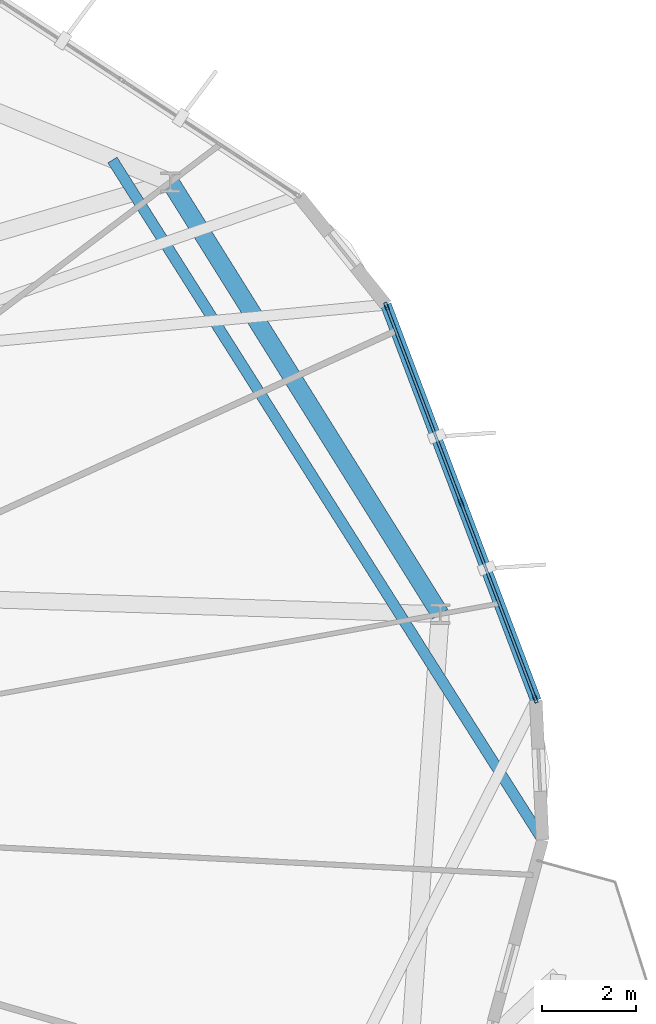
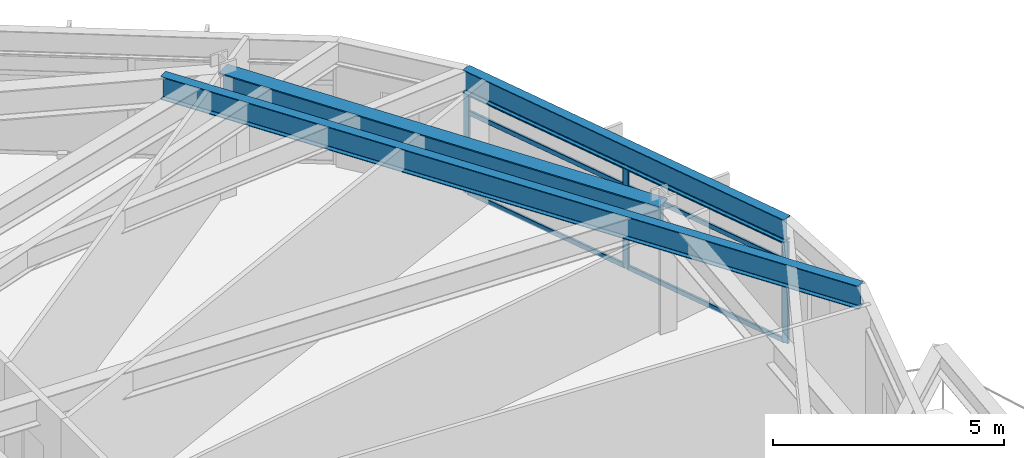
# One storey, part 12 of 23: 9 members, 3 beams, 1 element without a shape of its own.
"""IFC4 building model written with IfcOpenShell, lengths in metres."""

from ifc_helpers import new_model, si_unit, direction, frame, origin, origin_2d, place, context, subcontext, project, spatial, hollow_rectangle, i_section, extrude, material, layer, layer_set, material_profile, profile_set, type_object, element, aggregate, save


model = new_model("IFC4")

# Units and contexts
model_context = context("Model", 3, precision=1e-05, world=origin(), true_north=direction((0.0, 1.0)))
body_context = subcontext(model_context, "Body", "Model", "MODEL_VIEW")
ifc_project = project(units=[si_unit("LENGTHUNIT", "METRE"), si_unit("AREAUNIT", "SQUARE_METRE"), si_unit("VOLUMEUNIT", "CUBIC_METRE"), si_unit("PLANEANGLEUNIT", "RADIAN"), si_unit("MASSUNIT", "GRAM", prefix="KILO")], contexts=[model_context])

# Site, building, storey
site_placement = place(None, origin())
site = spatial("IfcSite", under=ifc_project, at=site_placement, CompositionType="ELEMENT")
building_placement = place(site_placement, origin())
building = spatial("IfcBuilding", under=site, at=building_placement, Name="Soratama Intermodal Tower", CompositionType="ELEMENT")
storey_placement = place(building_placement, frame((0.0, 0.0, 175.0)))
storey = spatial("IfcBuildingStorey", under=building, at=storey_placement, Name="L43", CompositionType="ELEMENT", Elevation=175.0)

# Beams
ifc_material_1 = material(Name="Structural steel ASTM A992 Grade 50", Category="steel")
ifc_material_profile_1 = material_profile(ifc_material_1, i_section(OverallWidth=0.382080078125, OverallDepth=0.779052734375, WebThickness=0.01806640625, FlangeThickness=0.030029296875, FilletRadius=0.01806640625, at=origin_2d()), Name="W30X191")
ifc_profile_set_1 = profile_set([ifc_material_profile_1], Name="Structural steel ASTM A992 Grade 50")
beam_type_1 = type_object("IfcBeamType", Name="BM-RING-W30X191", PredefinedType="BEAM", material=ifc_profile_set_1)
beam_1_placement = place(storey_placement, frame((61.97998046875, 29.23388671875, 2.910400390625), z_axis=(-0.529891394359, 0.84806551055, 0.0), x_axis=(-0.84806551055, -0.529891394359, 0.0)))
element("IfcBeam", 1, at=beam_1_placement, inside=storey, type_object=beam_type_1, Name="BM-L43-RING-01", PredefinedType="BEAM", context=body_context, shape_type="SweptSolid", body=[
    extrude(i_section(OverallWidth=0.382080078125, OverallDepth=0.779052734375, WebThickness=0.01806640625, FlangeThickness=0.030029296875, FilletRadius=0.01806640625, at=origin_2d()), origin(), (0.0, 0.0, 1.0), 10.8154296875),
])
ifc_material_2 = material(Name="Structural steel ASTM A992 Grade 50", Category="steel")
ifc_material_profile_2 = material_profile(ifc_material_2, i_section(OverallWidth=0.22900390625, OverallDepth=0.612060546875, WebThickness=0.011962890625, FlangeThickness=0.01953125, FilletRadius=0.012939453125, at=origin_2d()), Name="W24X84")
ifc_profile_set_2 = profile_set([ifc_material_profile_2], Name="Structural steel ASTM A992 Grade 50")
beam_type_2 = type_object("IfcBeamType", Name="BM-SPN-W24X84", PredefinedType="SPANDREL", material=ifc_profile_set_2)
beam_2_placement = place(storey_placement, frame((64.010986328125, 27.40087890625, 2.993896484375), z_axis=(-0.354429003549, 0.935082927576, 0.0), x_axis=(-0.935082927576, -0.354429003549, 0.0)))
element("IfcBeam", 2, at=beam_2_placement, inside=storey, type_object=beam_type_2, Name="BS-L43-F10", PredefinedType="SPANDREL", context=body_context, shape_type="SweptSolid", body=[
    extrude(i_section(OverallWidth=0.22900390625, OverallDepth=0.612060546875, WebThickness=0.011962890625, FlangeThickness=0.01953125, FilletRadius=0.012939453125, at=origin_2d()), origin(), (0.0, 0.0, 1.0), 8.986572265625),
])
ifc_material_3 = material(Name="Structural steel ASTM A992 Grade 50", Category="steel")
ifc_material_profile_3 = material_profile(ifc_material_3, i_section(OverallWidth=0.22900390625, OverallDepth=0.612060546875, WebThickness=0.011962890625, FlangeThickness=0.01953125, FilletRadius=0.012939453125, at=origin_2d()), Name="W24X84")
ifc_profile_set_3 = profile_set([ifc_material_profile_3], Name="Structural steel ASTM A992 Grade 50")
beam_type_3 = type_object("IfcBeamType", Name="BM-TIE-W24X84", PredefinedType="BEAM", material=ifc_profile_set_3)
beam_3_placement = place(storey_placement, frame((55.01806640625, 38.8779296875, 2.993896484375), z_axis=(0.534663161107, -0.84506526621, 0.0), x_axis=(0.84506526621, 0.534663161107, 0.0)))
element("IfcBeam", 3, at=beam_3_placement, inside=storey, type_object=beam_type_3, Name="BM-L43-TIE1-09", PredefinedType="BEAM", context=body_context, shape_type="SweptSolid", body=[
    extrude(i_section(OverallWidth=0.22900390625, OverallDepth=0.612060546875, WebThickness=0.011962890625, FlangeThickness=0.01953125, FilletRadius=0.012939453125, at=origin_2d()), origin(), (0.0, 0.0, 1.0), 17.08740234375),
])

# Curtain wall, members
ifc_material_4 = material(Name="Double-glazed aluminium curtain wall", Category="aluminium")
ifc_layer = layer(ifc_material_4, 0.159912109375)
ifc_layer_set = layer_set([ifc_layer], Name="Double-glazed aluminium curtain wall")
curtain_wall_type = type_object("IfcCurtainWallType", Name="CW-SYS-4", PredefinedType="NOTDEFINED", material=ifc_layer_set)
curtain_wall_placement = place(storey_placement, origin())
curtain_wall = element("IfcCurtainWall", 4, at=curtain_wall_placement, inside=storey, type_object=curtain_wall_type, Name="L43 Faceted Curtain Wall F10", PredefinedType="NOTDEFINED")
ifc_material_5 = material(Name="Anodised aluminium AA 6063-T6", Category="aluminium")
ifc_material_profile_4 = material_profile(ifc_material_5, hollow_rectangle(XDim=0.070068359375, YDim=0.159912109375, WallThickness=0.0048828125, InnerFilletRadius=0.0048828125, OuterFilletRadius=0.010009765625, at=origin_2d()), Name="CWM160X70X5")
ifc_profile_set_4 = profile_set([ifc_material_profile_4], Name="Anodised aluminium AA 6063-T6")
member_type_1 = type_object("IfcMemberType", Name="MT-CWM-4", PredefinedType="MULLION", material=ifc_profile_set_4)
member_1_placement = place(storey_placement, frame((64.000244140625, 27.429443359375, 0.0), z_axis=(0.0, 0.0, 1.0), x_axis=(-0.935070549002, -0.354461659972, 0.0)))
member_1 = element("IfcMember", 5, at=member_1_placement, type_object=member_type_1, Name="CW-4 mullion 1", PredefinedType="MULLION", context=body_context, shape_type="SweptSolid", body=[
    extrude(hollow_rectangle(XDim=0.070068359375, YDim=0.159912109375, WallThickness=0.0048828125, InnerFilletRadius=0.0048828125, OuterFilletRadius=0.010009765625, at=origin_2d()), origin(), (0.0, 0.0, 1.0), 2.678955078125),
])
member_2_placement = place(storey_placement, frame((62.418212890625, 31.6025390625, 0.0), z_axis=(0.0, 0.0, 1.0), x_axis=(-0.935070549002, -0.354461659972, 0.0)))
member_2 = element("IfcMember", 6, at=member_2_placement, type_object=member_type_1, Name="CW-4 mullion 2", PredefinedType="MULLION", context=body_context, shape_type="SweptSolid", body=[
    extrude(hollow_rectangle(XDim=0.070068359375, YDim=0.159912109375, WallThickness=0.0048828125, InnerFilletRadius=0.0048828125, OuterFilletRadius=0.010009765625, at=origin_2d()), origin(), (0.0, 0.0, 1.0), 2.678955078125),
])
member_3_placement = place(storey_placement, frame((60.83642578125, 35.775634765625, 0.0), z_axis=(0.0, 0.0, 1.0), x_axis=(-0.935070549002, -0.354461659972, 0.0)))
member_3 = element("IfcMember", 7, at=member_3_placement, type_object=member_type_1, Name="CW-4 mullion 3", PredefinedType="MULLION", context=body_context, shape_type="SweptSolid", body=[
    extrude(hollow_rectangle(XDim=0.070068359375, YDim=0.159912109375, WallThickness=0.0048828125, InnerFilletRadius=0.0048828125, OuterFilletRadius=0.010009765625, at=origin_2d()), origin(), (0.0, 0.0, 1.0), 2.678955078125),
])
ifc_material_6 = material(Name="Anodised aluminium AA 6063-T6", Category="aluminium")
ifc_material_profile_5 = material_profile(ifc_material_6, hollow_rectangle(XDim=0.06005859375, YDim=0.1298828125, WallThickness=0.0048828125, InnerFilletRadius=0.0048828125, OuterFilletRadius=0.010009765625, at=origin_2d()), Name="CWT130X60X5")
ifc_profile_set_5 = profile_set([ifc_material_profile_5], Name="Anodised aluminium AA 6063-T6")
member_type_2 = type_object("IfcMemberType", Name="TT-CWT-2", PredefinedType="USERDEFINED", material=ifc_profile_set_5)
member_4_placement = place(storey_placement, frame((63.989501953125, 27.45751953125, 0.030029296875), z_axis=(-0.354426896262, 0.935083726308, 0.0), x_axis=(-0.935083726308, -0.354426896262, 0.0)))
member_4 = element("IfcMember", 8, at=member_4_placement, type_object=member_type_2, Name="CW-4 transom 1.1", ObjectType="TRANSOM", PredefinedType="USERDEFINED", context=body_context, shape_type="SweptSolid", body=[
    extrude(hollow_rectangle(XDim=0.06005859375, YDim=0.1298828125, WallThickness=0.0048828125, InnerFilletRadius=0.0048828125, OuterFilletRadius=0.010009765625, at=origin_2d()), origin(), (0.0, 0.0, 1.0), 4.403076171875),
])
member_5_placement = place(storey_placement, frame((63.989501953125, 27.45751953125, 2.14990234375), z_axis=(-0.354426896262, 0.935083726308, 0.0), x_axis=(-0.935083726308, -0.354426896262, 0.0)))
member_5 = element("IfcMember", 9, at=member_5_placement, type_object=member_type_2, Name="CW-4 transom 1.2", ObjectType="TRANSOM", PredefinedType="USERDEFINED", context=body_context, shape_type="SweptSolid", body=[
    extrude(hollow_rectangle(XDim=0.06005859375, YDim=0.1298828125, WallThickness=0.0048828125, InnerFilletRadius=0.0048828125, OuterFilletRadius=0.010009765625, at=origin_2d()), origin(), (0.0, 0.0, 1.0), 4.403076171875),
])
member_6_placement = place(storey_placement, frame((63.989501953125, 27.45751953125, 2.64892578125), z_axis=(-0.354426896262, 0.935083726308, 0.0), x_axis=(-0.935083726308, -0.354426896262, 0.0)))
member_6 = element("IfcMember", 10, at=member_6_placement, type_object=member_type_2, Name="CW-4 transom 1.3", ObjectType="TRANSOM", PredefinedType="USERDEFINED", context=body_context, shape_type="SweptSolid", body=[
    extrude(hollow_rectangle(XDim=0.06005859375, YDim=0.1298828125, WallThickness=0.0048828125, InnerFilletRadius=0.0048828125, OuterFilletRadius=0.010009765625, at=origin_2d()), origin(), (0.0, 0.0, 1.0), 4.403076171875),
])
member_7_placement = place(storey_placement, frame((62.40771484375, 31.630615234375, 0.030029296875), z_axis=(-0.354475377991, 0.935065348731, 0.0), x_axis=(-0.935065348731, -0.354475377991, 0.0)))
member_7 = element("IfcMember", 11, at=member_7_placement, type_object=member_type_2, Name="CW-4 transom 2.1", ObjectType="TRANSOM", PredefinedType="USERDEFINED", context=body_context, shape_type="SweptSolid", body=[
    extrude(hollow_rectangle(XDim=0.06005859375, YDim=0.1298828125, WallThickness=0.0048828125, InnerFilletRadius=0.0048828125, OuterFilletRadius=0.010009765625, at=origin_2d()), origin(), (0.0, 0.0, 1.0), 4.403076171875),
])
member_8_placement = place(storey_placement, frame((62.40771484375, 31.630615234375, 2.14990234375), z_axis=(-0.354475377991, 0.935065348731, 0.0), x_axis=(-0.935065348731, -0.354475377991, 0.0)))
member_8 = element("IfcMember", 12, at=member_8_placement, type_object=member_type_2, Name="CW-4 transom 2.2", ObjectType="TRANSOM", PredefinedType="USERDEFINED", context=body_context, shape_type="SweptSolid", body=[
    extrude(hollow_rectangle(XDim=0.06005859375, YDim=0.1298828125, WallThickness=0.0048828125, InnerFilletRadius=0.0048828125, OuterFilletRadius=0.010009765625, at=origin_2d()), origin(), (0.0, 0.0, 1.0), 4.403076171875),
])
member_9_placement = place(storey_placement, frame((62.40771484375, 31.630615234375, 2.64892578125), z_axis=(-0.354475377991, 0.935065348731, 0.0), x_axis=(-0.935065348731, -0.354475377991, 0.0)))
member_9 = element("IfcMember", 13, at=member_9_placement, type_object=member_type_2, Name="CW-4 transom 2.3", ObjectType="TRANSOM", PredefinedType="USERDEFINED", context=body_context, shape_type="SweptSolid", body=[
    extrude(hollow_rectangle(XDim=0.06005859375, YDim=0.1298828125, WallThickness=0.0048828125, InnerFilletRadius=0.0048828125, OuterFilletRadius=0.010009765625, at=origin_2d()), origin(), (0.0, 0.0, 1.0), 4.403076171875),
])
aggregate(curtain_wall, [member_1, member_2, member_3, member_4, member_5, member_6, member_7, member_8, member_9])

save(model, "model.ifc")
